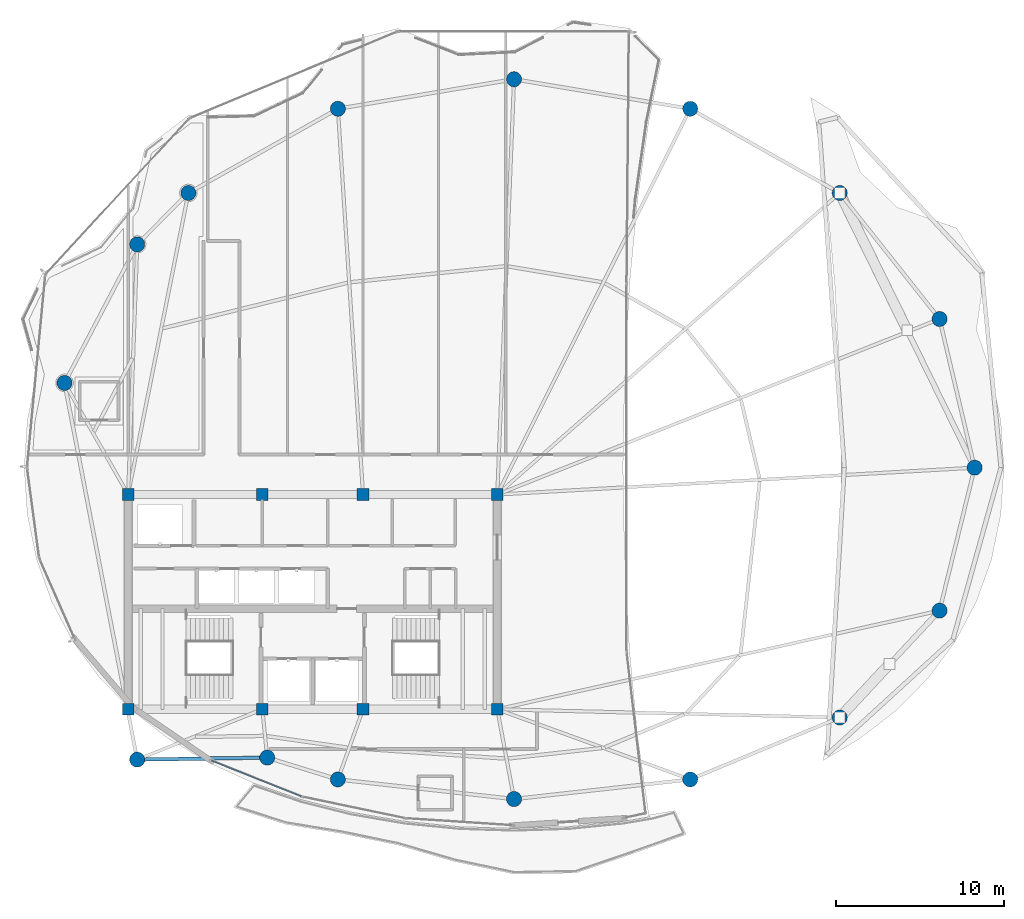
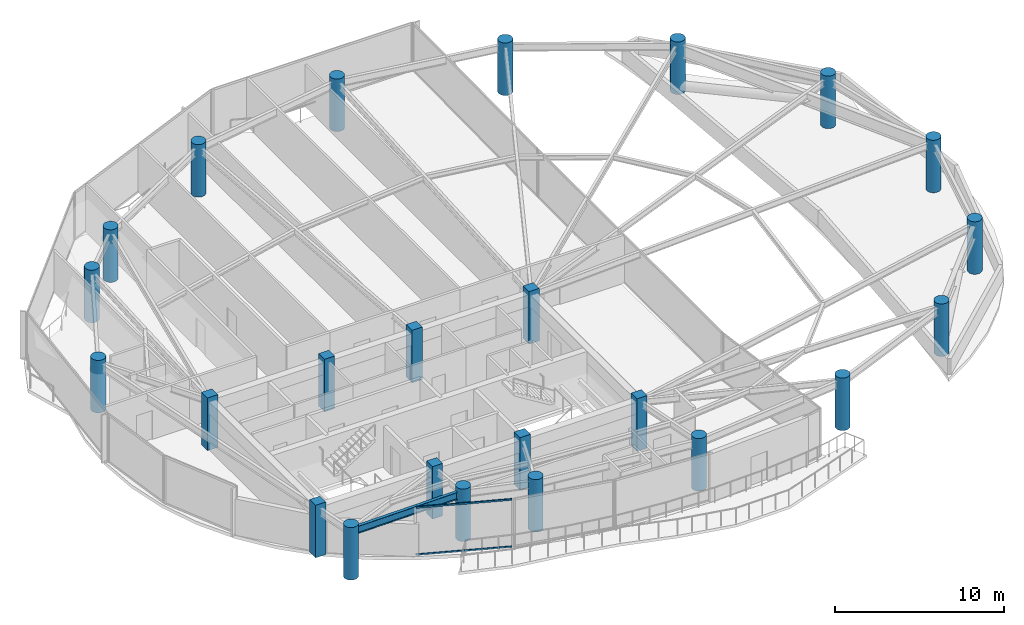
# One storey, part 1 of 22: 24 columns, 2 members, 1 beam, 1 element without a shape of its own.
"""IFC4 building model written with IfcOpenShell, lengths in metres."""

from ifc_helpers import new_model, si_unit, direction, frame, origin, origin_2d, place, context, subcontext, project, spatial, rectangle, hollow_rectangle, circle, i_section, extrude, material, layer, layer_set, material_profile, profile_set, type_object, element, aggregate, save


model = new_model("IFC4")

# Units and contexts
model_context = context("Model", 3, precision=1e-05, world=origin(), true_north=direction((0.0, 1.0)))
body_context = subcontext(model_context, "Body", "Model", "MODEL_VIEW")
ifc_project = project(units=[si_unit("LENGTHUNIT", "METRE"), si_unit("AREAUNIT", "SQUARE_METRE"), si_unit("VOLUMEUNIT", "CUBIC_METRE"), si_unit("PLANEANGLEUNIT", "RADIAN"), si_unit("MASSUNIT", "GRAM", prefix="KILO")], contexts=[model_context])

# Site, building, storey
site_placement = place(None, origin())
site = spatial("IfcSite", under=ifc_project, at=site_placement, CompositionType="ELEMENT")
building_placement = place(site_placement, origin())
building = spatial("IfcBuilding", under=site, at=building_placement, Name="Kazevale Care Tower and Concert Hall", CompositionType="ELEMENT")
storey_placement = place(building_placement, frame((0.0, 0.0, 277.60009765625)))
storey = spatial("IfcBuildingStorey", under=building, at=storey_placement, Name="L73", CompositionType="ELEMENT", Elevation=277.60009765625)

# Columns
ifc_material_1 = material(Name="Concrete C50", Category="concrete")
ifc_material_profile_1 = material_profile(ifc_material_1, rectangle(XDim=0.699951171875, YDim=0.699951171875, at=origin_2d()), Name="RC-SQ700")
ifc_profile_set_1 = profile_set([ifc_material_profile_1], Name="Concrete C50")
column_type_1 = type_object("IfcColumnType", Name="Core Column SQ700 C50", PredefinedType="COLUMN", material=ifc_profile_set_1)
for number, where, z_axis, x_axis, name in (
    (1, (22.0, 23.60009765625, 0.0), (0.0, 0.0, 1.0), (1.0, 0.0, 0.0), "col:L73:CC-01"),
    (2, (30.0, 23.60009765625, 0.0), (0.0, 0.0, 1.0), (1.0, 0.0, 0.0), "col:L73:CC-02"),
    (3, (36.0, 23.60009765625, 0.0), (0.0, 0.0, 1.0), (1.0, 0.0, 0.0), "col:L73:CC-03"),
    (4, (44.0, 23.60009765625, 0.0), (0.0, 0.0, 1.0), (1.0, 0.0, 0.0), "col:L73:CC-04"),
    (5, (44.0, 36.39990234375, 0.0), (0.0, 0.0, 1.0), (1.0, 0.0, 0.0), "col:L73:CC-05"),
    (6, (36.0, 36.39990234375, 0.0), (0.0, 0.0, 1.0), (1.0, 0.0, 0.0), "col:L73:CC-06"),
    (7, (30.0, 36.39990234375, 0.0), (0.0, 0.0, 1.0), (1.0, 0.0, 0.0), "col:L73:CC-07"),
    (8, (22.0, 36.39990234375, 0.0), (0.0, 0.0, 1.0), (1.0, 0.0, 0.0), "col:L73:CC-08"),
):
    element("IfcColumn", number, at=place(storey_placement, frame(where, z_axis=z_axis, x_axis=x_axis)), inside=storey, type_object=column_type_1, Name=name, PredefinedType="COLUMN", context=body_context, shape_type="SweptSolid", body=[
        extrude(rectangle(XDim=0.699951171875, YDim=0.699951171875, at=origin_2d()), origin(), (0.0, 0.0, 1.0), 3.7998046875),
    ])
ifc_material_profile_2 = material_profile(ifc_material_1, circle(Radius=0.449951171875, at=origin_2d()), Name="RC-CIR900")
ifc_profile_set_2 = profile_set([ifc_material_profile_2], Name="Concrete C50")
column_type_2 = type_object("IfcColumnType", Name="Perimeter Column CIR900 C50", PredefinedType="COLUMN", material=ifc_profile_set_2)
for number, where, z_axis, x_axis, name in (
    (9, (72.449951171875, 38.0, 0.0), (0.0, 0.0, 1.0), (1.0, 0.0, 0.0), "col:L73:PC-01"),
    (10, (70.360107421875, 46.860107421875, 0.0), (0.0, 0.0, 1.0), (1.0, 0.0, 0.0), "col:L73:PC-02"),
    (11, (64.409912109375, 54.3701171875, 0.0), (0.0, 0.0, 1.0), (1.0, 0.0, 0.0), "col:L73:PC-03"),
    (12, (55.5, 59.389892578125, 0.0), (0.0, 0.0, 1.0), (1.0, 0.0, 0.0), "col:L73:PC-04"),
    (13, (45.0, 61.14990234375, 0.0), (0.0, 0.0, 1.0), (1.0, 0.0, 0.0), "col:L73:PC-05"),
    (14, (34.5, 59.389892578125, 0.0), (0.0, 0.0, 1.0), (1.0, 0.0, 0.0), "col:L73:PC-06"),
    (15, (25.590087890625, 54.3701171875, 0.0), (0.0, 0.0, 1.0), (1.0, 0.0, 0.0), "col:L73:PC-07"),
    (16, (22.5400390625, 51.31005859375, 0.0), (0.0, 0.0, 1.0), (1.0, 0.0, 0.0), "col:L73:PC-08"),
    (17, (18.2099609375, 43.050048828125, 0.0), (0.0, 0.0, 1.0), (1.0, 0.0, 0.0), "col:L73:PC-09"),
    (18, (22.5400390625, 20.60009765625, 0.0), (0.0, 0.0, 1.0), (1.0, 0.0, 0.0), "col:L73:PC-10"),
    (19, (30.2900390625, 20.719970703125, 0.0), (0.0, 0.0, 1.0), (1.0, 0.0, 0.0), "col:L73:PC-11"),
    (20, (34.5, 19.419921875, 0.0), (0.0, 0.0, 1.0), (1.0, 0.0, 0.0), "col:L73:PC-12"),
    (21, (45.0, 18.25, 0.0), (0.0, 0.0, 1.0), (1.0, 0.0, 0.0), "col:L73:PC-13"),
    (22, (55.5, 19.419921875, 0.0), (0.0, 0.0, 1.0), (1.0, 0.0, 0.0), "col:L73:PC-14"),
    (23, (64.409912109375, 23.110107421875, 0.0), (0.0, 0.0, 1.0), (1.0, 0.0, 0.0), "col:L73:PC-15"),
    (24, (70.360107421875, 29.47998046875, 0.0), (0.0, 0.0, 1.0), (1.0, 0.0, 0.0), "col:L73:PC-16"),
):
    element("IfcColumn", number, at=place(storey_placement, frame(where, z_axis=z_axis, x_axis=x_axis)), inside=storey, type_object=column_type_2, Name=name, PredefinedType="COLUMN", context=body_context, shape_type="SweptSolid", body=[
        extrude(circle(Radius=0.449951171875, at=origin_2d()), origin(), (0.0, 0.0, 1.0), 3.7998046875),
    ])

# Curtain wall, members
ifc_material_2 = material(Name="Aluminium 6063-T6 and Low-E Glass", Category="aluminium")
ifc_layer = layer(ifc_material_2, 0.179931640625)
ifc_layer_set = layer_set([ifc_layer], Name="Aluminium 6063-T6 and Low-E Glass")
curtain_wall_type = type_object("IfcCurtainWallType", Name="Sheltered Concave Balcony Curtain Wall CW-5", PredefinedType="NOTDEFINED", material=ifc_layer_set)
curtain_wall_placement = place(storey_placement, origin())
curtain_wall = element("IfcCurtainWall", 25, at=curtain_wall_placement, inside=storey, type_object=curtain_wall_type, Name="cw:L73:f04", PredefinedType="NOTDEFINED")
ifc_material_3 = material(Name="Aluminium 6063-T6", Category="aluminium")
ifc_material_profile_3 = material_profile(ifc_material_3, hollow_rectangle(XDim=0.074951171875, YDim=0.1201171875, WallThickness=0.00390625, at=origin_2d()), Name="ALU75x120x4")
ifc_profile_set_3 = profile_set([ifc_material_profile_3], Name="Aluminium 6063-T6")
member_type = type_object("IfcMemberType", Name="CW-5 Transom ALU75x120x4", PredefinedType="USERDEFINED", material=ifc_profile_set_3)
member_1_placement = place(storey_placement, frame((32.312255859375, 18.413818359375, 0.037353515625), z_axis=(-0.92920691716, 0.369559880265, 0.0), x_axis=(-0.369559880265, -0.92920691716, 0.0)))
member_1 = element("IfcMember", 26, at=member_1_placement, type_object=member_type, Name="CW-5 transom 1.1", ObjectType="TRANSOM", PredefinedType="USERDEFINED", context=body_context, shape_type="SweptSolid", body=[
    extrude(hollow_rectangle(XDim=0.074951171875, YDim=0.1201171875, WallThickness=0.00390625, at=origin_2d()), origin(), (0.0, 0.0, 1.0), 5.773193359375),
])
member_2_placement = place(storey_placement, frame((32.312255859375, 18.413818359375, 3.4423828125), z_axis=(-0.92920691716, 0.369559880265, 0.0), x_axis=(-0.369559880265, -0.92920691716, 0.0)))
member_2 = element("IfcMember", 27, at=member_2_placement, type_object=member_type, Name="CW-5 transom 1.2", ObjectType="TRANSOM", PredefinedType="USERDEFINED", context=body_context, shape_type="SweptSolid", body=[
    extrude(hollow_rectangle(XDim=0.074951171875, YDim=0.1201171875, WallThickness=0.00390625, at=origin_2d()), origin(), (0.0, 0.0, 1.0), 5.773193359375),
])
aggregate(curtain_wall, [member_1, member_2])

# Beam
ifc_material_4 = material(Name="Steel ASTM A572 Gr 50", Category="steel")
ifc_material_profile_4 = material_profile(ifc_material_4, i_section(OverallWidth=0.208984375, OverallDepth=0.532958984375, WebThickness=0.01025390625, FlangeThickness=0.015625, at=origin_2d()), Name="W530x92")
ifc_profile_set_4 = profile_set([ifc_material_profile_4], Name="Steel ASTM A572 Gr 50")
beam_type = type_object("IfcBeamType", Name="Upper Ring Beam W530x92", PredefinedType="BEAM", material=ifc_profile_set_4)
beam_placement = place(storey_placement, frame((22.5400390625, 20.60009765625, 3.21337890625), z_axis=(0.999880399838, 0.015465640005, 0.0), x_axis=(-0.015465640005, 0.999880399838, 0.0)))
element("IfcBeam", 28, at=beam_placement, inside=storey, type_object=beam_type, Name="beam:L73:ring:10", PredefinedType="BEAM", context=body_context, shape_type="SweptSolid", body=[
    extrude(i_section(OverallWidth=0.208984375, OverallDepth=0.532958984375, WebThickness=0.01025390625, FlangeThickness=0.015625, at=origin_2d()), origin(), (0.0, 0.0, 1.0), 7.7509765625),
])

save(model, "model.ifc")
